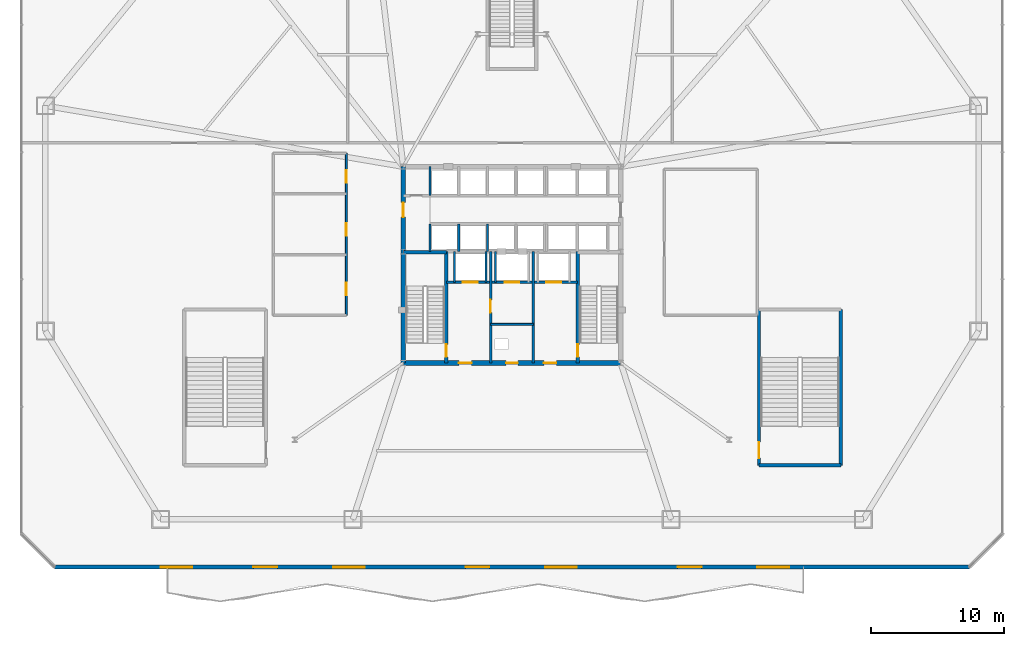
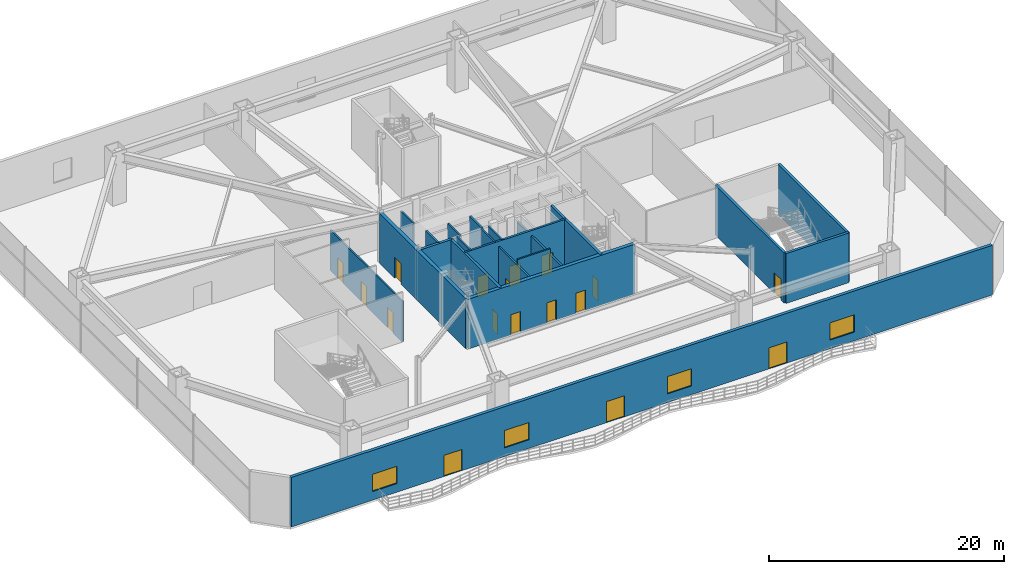
# One storey, part 13 of 20: 21 walls, 17 doors, 4 windows, 21 openings.
"""IFC4 building model written with IfcOpenShell, lengths in metres."""

from ifc_helpers import new_model, si_unit, direction, frame, frame_2d, origin, place, context, subcontext, project, spatial, rectangle, extrude, material, layer, layer_set, type_object, element, fill, save


model = new_model("IFC4")

# Units and contexts
model_context = context("Model", 3, precision=1e-05, world=origin(), true_north=direction((0.0, 1.0)))
body_context = subcontext(model_context, "Body", "Model", "MODEL_VIEW")
ifc_project = project(units=[si_unit("LENGTHUNIT", "METRE"), si_unit("AREAUNIT", "SQUARE_METRE"), si_unit("VOLUMEUNIT", "CUBIC_METRE"), si_unit("PLANEANGLEUNIT", "RADIAN"), si_unit("MASSUNIT", "GRAM", prefix="KILO")], contexts=[model_context])

# Site, building, storey
site_placement = place(None, origin())
site = spatial("IfcSite", under=ifc_project, at=site_placement, CompositionType="ELEMENT")
building_placement = place(site_placement, origin())
building = spatial("IfcBuilding", under=site, at=building_placement, Name="Varakhsha Concourse Tower", CompositionType="ELEMENT")
storey_placement = place(building_placement, frame((0.0, 0.0, 11.0)))
storey = spatial("IfcBuildingStorey", under=building, at=storey_placement, Name="L03", CompositionType="ELEMENT", Elevation=11.0)

# Wall, openings, doors
ifc_material_1 = material(Name="Concrete fc 65 MPa", Category="concrete")
ifc_layer_1 = layer(ifc_material_1, 0.35009765625, Name="WL-CORE-350")
ifc_layer_set_1 = layer_set([ifc_layer_1], Name="Concrete fc 65 MPa")
wall_type_1 = type_object("IfcWallType", Name="WL-CORE-350", PredefinedType="SHEAR", material=ifc_layer_set_1)
wall_1_placement = place(storey_placement, frame((31.800048828125, 16.39990234375, 0.0), z_axis=(0.0, 0.0, 1.0), x_axis=(1.0, 0.0, 0.0)))
wall_1 = element("IfcWall", 1, at=wall_1_placement, inside=storey, type_object=wall_type_1, Name="L03 Wall CWALL-S-L03", PredefinedType="SHEAR", context=body_context, shape_type="SweptSolid", body=[
    extrude(rectangle(XDim=16.39990234375, YDim=0.35009765625, at=frame_2d((8.199951171875, 0.0))), origin(), (0.0, 0.0, 1.0), 5.179931640625),
])
opening_1_placement = place(wall_1_placement, frame((7.75, 0.0, 0.0)))
opening_1 = element("IfcOpeningElement", 2, at=opening_1_placement, cuts=wall_1, Name="Opening DF-06", PredefinedType="OPENING", context=body_context, shape_type="SweptSolid", body=[
    extrude(rectangle(XDim=0.89990234375, YDim=2.10009765625, at=frame_2d((0.449951171875, 1.050048828125))), frame((0.0, 0.18505859375, 0.0), z_axis=(0.0, -1.0, 0.0), x_axis=(1.0, 0.0, 0.0)), (0.0, 0.0, 1.0), 0.3701171875),
])
opening_2_placement = place(wall_1_placement, frame((4.199951171875, 0.0, 0.0)))
opening_2 = element("IfcOpeningElement", 3, at=opening_2_placement, cuts=wall_1, Name="Opening DF-05", PredefinedType="OPENING", context=body_context, shape_type="SweptSolid", body=[
    extrude(rectangle(XDim=0.949951171875, YDim=2.10009765625, at=frame_2d((0.47509765625, 1.050048828125))), frame((0.0, 0.18505859375, 0.0), z_axis=(0.0, -1.0, 0.0), x_axis=(1.0, 0.0, 0.0)), (0.0, 0.0, 1.0), 0.3701171875),
])
opening_3_placement = place(wall_1_placement, frame((10.60009765625, 0.0, 0.0)))
opening_3 = element("IfcOpeningElement", 4, at=opening_3_placement, cuts=wall_1, Name="Opening DF-05", PredefinedType="OPENING", context=body_context, shape_type="SweptSolid", body=[
    extrude(rectangle(XDim=0.949951171875, YDim=2.10009765625, at=frame_2d((0.47509765625, 1.050048828125))), frame((0.0, 0.18505859375, 0.0), z_axis=(0.0, -1.0, 0.0), x_axis=(1.0, 0.0, 0.0)), (0.0, 0.0, 1.0), 0.3701171875),
])
ifc_material_2 = material(Name="Hollow Galvanised Steel Fire Door Assembly", Category="steel")
door_type_1 = type_object("IfcDoorType", Name="DR-FD60-900", OperationType="NOTDEFINED", PredefinedType="DOOR", material=ifc_material_2)
door_1_placement = place(opening_1_placement, origin())
door_1 = element("IfcDoor", 5, at=door_1_placement, inside=storey, type_object=door_type_1, Name="L03 Electrical Riser Access Door", OperationType="SINGLE_SWING_LEFT", OverallHeight=2.10009765625, OverallWidth=0.89990234375, PredefinedType="DOOR", context=body_context, shape_type="SweptSolid", body=[
    extrude(rectangle(XDim=0.89990234375, YDim=2.10009765625, at=frame_2d((0.449951171875, 1.050048828125))), frame((0.0, 0.02490234375, 0.0), z_axis=(0.0, -1.0, 0.0), x_axis=(1.0, 0.0, 0.0)), (0.0, 0.0, 1.0), 0.050048828125),
])
fill(opening_1, door_1)
door_type_2 = type_object("IfcDoorType", Name="DR-FD60-950", OperationType="NOTDEFINED", PredefinedType="DOOR", material=ifc_material_2)
door_2_placement = place(opening_2_placement, origin())
door_2 = element("IfcDoor", 6, at=door_2_placement, inside=storey, type_object=door_type_2, Name="L03 Firefighting Lobby West Door", OperationType="SINGLE_SWING_RIGHT", OverallHeight=2.10009765625, OverallWidth=0.949951171875, PredefinedType="DOOR", context=body_context, shape_type="SweptSolid", body=[
    extrude(rectangle(XDim=0.949951171875, YDim=2.10009765625, at=frame_2d((0.47509765625, 1.050048828125))), frame((0.0, 0.02490234375, 0.0), z_axis=(0.0, -1.0, 0.0), x_axis=(1.0, 0.0, 0.0)), (0.0, 0.0, 1.0), 0.050048828125),
])
fill(opening_2, door_2)
door_3_placement = place(opening_3_placement, origin())
door_3 = element("IfcDoor", 7, at=door_3_placement, inside=storey, type_object=door_type_2, Name="L03 Firefighting Lobby East Door", OperationType="SINGLE_SWING_LEFT", OverallHeight=2.10009765625, OverallWidth=0.949951171875, PredefinedType="DOOR", context=body_context, shape_type="SweptSolid", body=[
    extrude(rectangle(XDim=0.949951171875, YDim=2.10009765625, at=frame_2d((0.47509765625, 1.050048828125))), frame((0.0, 0.02490234375, 0.0), z_axis=(0.0, -1.0, 0.0), x_axis=(1.0, 0.0, 0.0)), (0.0, 0.0, 1.0), 0.050048828125),
])
fill(opening_3, door_3)

# Wall, opening, door
wall_2_placement = place(storey_placement, frame((31.800048828125, 16.39990234375, 0.0), z_axis=(0.0, 0.0, 1.0), x_axis=(0.0, 1.0, 0.0)))
wall_2 = element("IfcWall", 8, at=wall_2_placement, inside=storey, type_object=wall_type_1, Name="L03 Wall CWALL-W-L03", PredefinedType="SHEAR", context=body_context, shape_type="SweptSolid", body=[
    extrude(rectangle(XDim=14.800048828125, YDim=0.35009765625, at=frame_2d((7.39990234375, 0.0))), origin(), (0.0, 0.0, 1.0), 5.179931640625),
])
opening_4_placement = place(wall_2_placement, frame((11.0, 0.0, 0.0)))
opening_4 = element("IfcOpeningElement", 9, at=opening_4_placement, cuts=wall_2, Name="Opening DL-01", PredefinedType="OPENING", context=body_context, shape_type="SweptSolid", body=[
    extrude(rectangle(XDim=1.10009765625, YDim=2.14990234375, at=frame_2d((0.550048828125, 1.074951171875))), frame((0.0, 0.18505859375, 0.0), z_axis=(0.0, -1.0, 0.0), x_axis=(1.0, 0.0, 0.0)), (0.0, 0.0, 1.0), 0.3701171875),
])
ifc_material_3 = material(Name="Anodised Bronze Architectural Aluminium AA 6063-T6", Category="aluminium")
door_type_3 = type_object("IfcDoorType", Name="DR-LOB-1100", OperationType="NOTDEFINED", PredefinedType="DOOR", material=ifc_material_3)
door_4_placement = place(opening_4_placement, origin())
door_4 = element("IfcDoor", 10, at=door_4_placement, inside=storey, type_object=door_type_3, Name="L03 Lift Lobby West Concourse Door", OperationType="SINGLE_SWING_LEFT", OverallHeight=2.14990234375, OverallWidth=1.10009765625, PredefinedType="DOOR", context=body_context, shape_type="SweptSolid", body=[
    extrude(rectangle(XDim=1.10009765625, YDim=2.14990234375, at=frame_2d((0.550048828125, 1.074951171875))), frame((0.0, 0.02490234375, 0.0), z_axis=(0.0, -1.0, 0.0), x_axis=(1.0, 0.0, 0.0)), (0.0, 0.0, 1.0), 0.050048828125),
])
fill(opening_4, door_4)

# Wall, openings, doors, windows
ifc_material_4 = material(Name="Concrete fc 45 MPa", Category="concrete")
ifc_layer_2 = layer(ifc_material_4, 0.300048828125, Name="WL-EXT-POD-300")
ifc_layer_set_2 = layer_set([ifc_layer_2], Name="Concrete fc 45 MPa")
wall_type_2 = type_object("IfcWallType", Name="WL-EXT-POD-300", PredefinedType="STANDARD", material=ifc_layer_set_2)
wall_3_placement = place(storey_placement, frame((5.5, 1.0, 0.0), z_axis=(0.0, 0.0, 1.0), x_axis=(1.0, 0.0, 0.0)))
wall_3 = element("IfcWall", 11, at=wall_3_placement, inside=storey, type_object=wall_type_2, Name="L03 South Wave Terrace Wall", PredefinedType="STANDARD", context=body_context, shape_type="SweptSolid", body=[
    extrude(rectangle(XDim=69.0, YDim=0.300048828125, at=frame_2d((34.5, 0.0))), origin(), (0.0, 0.0, 1.0), 5.179931640625),
])
opening_5_placement = place(wall_3_placement, frame((15.0, 0.0, 0.0)))
opening_5 = element("IfcOpeningElement", 12, at=opening_5_placement, cuts=wall_3, Name="Opening DT-01", PredefinedType="OPENING", context=body_context, shape_type="SweptSolid", body=[
    extrude(rectangle(XDim=1.800048828125, YDim=2.199951171875, at=frame_2d((0.89990234375, 1.10009765625))), frame((0.0, 0.159912109375, 0.0), z_axis=(0.0, -1.0, 0.0), x_axis=(1.0, 0.0, 0.0)), (0.0, 0.0, 1.0), 0.320068359375),
])
opening_6_placement = place(wall_3_placement, frame((31.0, 0.0, 0.0)))
opening_6 = element("IfcOpeningElement", 13, at=opening_6_placement, cuts=wall_3, Name="Opening DT-01", PredefinedType="OPENING", context=body_context, shape_type="SweptSolid", body=[
    extrude(rectangle(XDim=1.800048828125, YDim=2.199951171875, at=frame_2d((0.89990234375, 1.10009765625))), frame((0.0, 0.159912109375, 0.0), z_axis=(0.0, -1.0, 0.0), x_axis=(1.0, 0.0, 0.0)), (0.0, 0.0, 1.0), 0.320068359375),
])
opening_7_placement = place(wall_3_placement, frame((47.0, 0.0, 0.0)))
opening_7 = element("IfcOpeningElement", 14, at=opening_7_placement, cuts=wall_3, Name="Opening DT-01", PredefinedType="OPENING", context=body_context, shape_type="SweptSolid", body=[
    extrude(rectangle(XDim=1.800048828125, YDim=2.199951171875, at=frame_2d((0.89990234375, 1.10009765625))), frame((0.0, 0.159912109375, 0.0), z_axis=(0.0, -1.0, 0.0), x_axis=(1.0, 0.0, 0.0)), (0.0, 0.0, 1.0), 0.320068359375),
])
opening_8_placement = place(wall_3_placement, frame((8.0, 0.0, 0.89990234375)))
opening_8 = element("IfcOpeningElement", 15, at=opening_8_placement, cuts=wall_3, Name="Opening W-02", PredefinedType="OPENING", context=body_context, shape_type="SweptSolid", body=[
    extrude(rectangle(XDim=2.39990234375, YDim=1.800048828125, at=frame_2d((1.199951171875, 0.89990234375))), frame((0.0, 0.159912109375, 0.0), z_axis=(0.0, -1.0, 0.0), x_axis=(1.0, 0.0, 0.0)), (0.0, 0.0, 1.0), 0.320068359375),
])
opening_9_placement = place(wall_3_placement, frame((21.0, 0.0, 0.89990234375)))
opening_9 = element("IfcOpeningElement", 16, at=opening_9_placement, cuts=wall_3, Name="Opening W-02", PredefinedType="OPENING", context=body_context, shape_type="SweptSolid", body=[
    extrude(rectangle(XDim=2.39990234375, YDim=1.800048828125, at=frame_2d((1.199951171875, 0.89990234375))), frame((0.0, 0.159912109375, 0.0), z_axis=(0.0, -1.0, 0.0), x_axis=(1.0, 0.0, 0.0)), (0.0, 0.0, 1.0), 0.320068359375),
])
opening_10_placement = place(wall_3_placement, frame((37.0, 0.0, 0.89990234375)))
opening_10 = element("IfcOpeningElement", 17, at=opening_10_placement, cuts=wall_3, Name="Opening W-02", PredefinedType="OPENING", context=body_context, shape_type="SweptSolid", body=[
    extrude(rectangle(XDim=2.39990234375, YDim=1.800048828125, at=frame_2d((1.199951171875, 0.89990234375))), frame((0.0, 0.159912109375, 0.0), z_axis=(0.0, -1.0, 0.0), x_axis=(1.0, 0.0, 0.0)), (0.0, 0.0, 1.0), 0.320068359375),
])
opening_11_placement = place(wall_3_placement, frame((53.0, 0.0, 0.89990234375)))
opening_11 = element("IfcOpeningElement", 18, at=opening_11_placement, cuts=wall_3, Name="Opening W-02", PredefinedType="OPENING", context=body_context, shape_type="SweptSolid", body=[
    extrude(rectangle(XDim=2.39990234375, YDim=1.800048828125, at=frame_2d((1.199951171875, 0.89990234375))), frame((0.0, 0.159912109375, 0.0), z_axis=(0.0, -1.0, 0.0), x_axis=(1.0, 0.0, 0.0)), (0.0, 0.0, 1.0), 0.320068359375),
])
door_type_4 = type_object("IfcDoorType", Name="DR-TERR-1800", OperationType="DOUBLE_DOOR_SINGLE_SWING", PredefinedType="DOOR", material=ifc_material_3)
door_5_placement = place(opening_5_placement, origin())
door_5 = element("IfcDoor", 19, at=door_5_placement, inside=storey, type_object=door_type_4, Name="L03 Wave Terrace Double Door 1", OperationType="SINGLE_SWING_LEFT", OverallHeight=2.199951171875, OverallWidth=1.800048828125, PredefinedType="DOOR", context=body_context, shape_type="SweptSolid", body=[
    extrude(rectangle(XDim=1.800048828125, YDim=2.199951171875, at=frame_2d((0.89990234375, 1.10009765625))), frame((0.0, 0.02490234375, 0.0), z_axis=(0.0, -1.0, 0.0), x_axis=(1.0, 0.0, 0.0)), (0.0, 0.0, 1.0), 0.050048828125),
])
fill(opening_5, door_5)
door_6_placement = place(opening_6_placement, origin())
door_6 = element("IfcDoor", 20, at=door_6_placement, inside=storey, type_object=door_type_4, Name="L03 Wave Terrace Double Door 2", OperationType="SINGLE_SWING_LEFT", OverallHeight=2.199951171875, OverallWidth=1.800048828125, PredefinedType="DOOR", context=body_context, shape_type="SweptSolid", body=[
    extrude(rectangle(XDim=1.800048828125, YDim=2.199951171875, at=frame_2d((0.89990234375, 1.10009765625))), frame((0.0, 0.02490234375, 0.0), z_axis=(0.0, -1.0, 0.0), x_axis=(1.0, 0.0, 0.0)), (0.0, 0.0, 1.0), 0.050048828125),
])
fill(opening_6, door_6)
door_7_placement = place(opening_7_placement, origin())
door_7 = element("IfcDoor", 21, at=door_7_placement, inside=storey, type_object=door_type_4, Name="L03 Wave Terrace Double Door 3", OperationType="SINGLE_SWING_LEFT", OverallHeight=2.199951171875, OverallWidth=1.800048828125, PredefinedType="DOOR", context=body_context, shape_type="SweptSolid", body=[
    extrude(rectangle(XDim=1.800048828125, YDim=2.199951171875, at=frame_2d((0.89990234375, 1.10009765625))), frame((0.0, 0.02490234375, 0.0), z_axis=(0.0, -1.0, 0.0), x_axis=(1.0, 0.0, 0.0)), (0.0, 0.0, 1.0), 0.050048828125),
])
fill(opening_7, door_7)
ifc_material_5 = material(Name="Low-E Triple Insulating Glass IGU 44 mm", Category="glass")
window_type = type_object("IfcWindowType", Name="WN-RIBBON-2400", PartitioningType="SINGLE_PANEL", PredefinedType="WINDOW", material=ifc_material_5)
window_1_placement = place(opening_8_placement, origin())
window_1 = element("IfcWindow", 22, at=window_1_placement, inside=storey, type_object=window_type, Name="L03 South Foyer Ribbon Window 1", OverallHeight=1.800048828125, OverallWidth=2.39990234375, PartitioningType="SINGLE_PANEL", PredefinedType="WINDOW", context=body_context, shape_type="SweptSolid", body=[
    extrude(rectangle(XDim=2.39990234375, YDim=1.800048828125, at=frame_2d((1.199951171875, 0.89990234375))), frame((0.0, 0.030029296875, 0.0), z_axis=(0.0, -1.0, 0.0), x_axis=(1.0, 0.0, 0.0)), (0.0, 0.0, 1.0), 0.06005859375),
])
fill(opening_8, window_1)
window_2_placement = place(opening_9_placement, origin())
window_2 = element("IfcWindow", 23, at=window_2_placement, inside=storey, type_object=window_type, Name="L03 South Foyer Ribbon Window 2", OverallHeight=1.800048828125, OverallWidth=2.39990234375, PartitioningType="SINGLE_PANEL", PredefinedType="WINDOW", context=body_context, shape_type="SweptSolid", body=[
    extrude(rectangle(XDim=2.39990234375, YDim=1.800048828125, at=frame_2d((1.199951171875, 0.89990234375))), frame((0.0, 0.030029296875, 0.0), z_axis=(0.0, -1.0, 0.0), x_axis=(1.0, 0.0, 0.0)), (0.0, 0.0, 1.0), 0.06005859375),
])
fill(opening_9, window_2)
window_3_placement = place(opening_10_placement, origin())
window_3 = element("IfcWindow", 24, at=window_3_placement, inside=storey, type_object=window_type, Name="L03 South Foyer Ribbon Window 3", OverallHeight=1.800048828125, OverallWidth=2.39990234375, PartitioningType="SINGLE_PANEL", PredefinedType="WINDOW", context=body_context, shape_type="SweptSolid", body=[
    extrude(rectangle(XDim=2.39990234375, YDim=1.800048828125, at=frame_2d((1.199951171875, 0.89990234375))), frame((0.0, 0.030029296875, 0.0), z_axis=(0.0, -1.0, 0.0), x_axis=(1.0, 0.0, 0.0)), (0.0, 0.0, 1.0), 0.06005859375),
])
fill(opening_10, window_3)
window_4_placement = place(opening_11_placement, origin())
window_4 = element("IfcWindow", 25, at=window_4_placement, inside=storey, type_object=window_type, Name="L03 South Foyer Ribbon Window 4", OverallHeight=1.800048828125, OverallWidth=2.39990234375, PartitioningType="SINGLE_PANEL", PredefinedType="WINDOW", context=body_context, shape_type="SweptSolid", body=[
    extrude(rectangle(XDim=2.39990234375, YDim=1.800048828125, at=frame_2d((1.199951171875, 0.89990234375))), frame((0.0, 0.030029296875, 0.0), z_axis=(0.0, -1.0, 0.0), x_axis=(1.0, 0.0, 0.0)), (0.0, 0.0, 1.0), 0.06005859375),
])
fill(opening_11, window_4)

# Wall, opening, door
ifc_material_6 = material(Name="Fire-Rated Type X Gypsum Partition Assembly", Category="gypsum")
ifc_layer_3 = layer(ifc_material_6, 0.179931640625, Name="WL-FFLOB-180")
ifc_layer_set_3 = layer_set([ifc_layer_3], Name="Fire-Rated Type X Gypsum Partition Assembly")
wall_type_3 = type_object("IfcWallType", Name="WL-FFLOB-180", PredefinedType="PARTITIONING", material=ifc_layer_set_3)
wall_4_placement = place(storey_placement, frame((38.389892578125, 16.39990234375, 0.0), z_axis=(0.0, 0.0, 1.0), x_axis=(0.0, 1.0, 0.0)))
wall_4 = element("IfcWall", 26, at=wall_4_placement, inside=storey, type_object=wall_type_3, Name="L03 Wall FFW-1E-L03", PredefinedType="PARTITIONING", context=body_context, shape_type="SweptSolid", body=[
    extrude(rectangle(XDim=8.400146484375, YDim=0.179931640625, at=frame_2d((4.2001953125, 0.0))), origin(), (0.0, 0.0, 1.0), 4.631103515625),
])
opening_12_placement = place(wall_4_placement, frame((3.800048828125, 0.0, 0.0)))
opening_12 = element("IfcOpeningElement", 27, at=opening_12_placement, cuts=wall_4, Name="Opening DF-05", PredefinedType="OPENING", context=body_context, shape_type="SweptSolid", body=[
    extrude(rectangle(XDim=0.949951171875, YDim=2.10009765625, at=frame_2d((0.47509765625, 1.050048828125))), frame((0.0, 0.099853515625, 0.0), z_axis=(0.0, -1.0, 0.0), x_axis=(1.0, 0.0, 0.0)), (0.0, 0.0, 1.0), 0.199951171875),
])
door_8_placement = place(opening_12_placement, origin())
door_8 = element("IfcDoor", 28, at=door_8_placement, inside=storey, type_object=door_type_2, Name="L03 Service Vestibule Door", OperationType="SINGLE_SWING_RIGHT", OverallHeight=2.10009765625, OverallWidth=0.949951171875, PredefinedType="DOOR", context=body_context, shape_type="SweptSolid", body=[
    extrude(rectangle(XDim=0.949951171875, YDim=2.10009765625, at=frame_2d((0.47509765625, 1.050048828125))), frame((0.0, 0.02490234375, 0.0), z_axis=(0.0, -1.0, 0.0), x_axis=(1.0, 0.0, 0.0)), (0.0, 0.0, 1.0), 0.050048828125),
])
fill(opening_12, door_8)

# Walls
wall_5_placement = place(storey_placement, frame((41.610107421875, 16.39990234375, 0.0), z_axis=(0.0, 0.0, 1.0), x_axis=(0.0, 1.0, 0.0)))
element("IfcWall", 29, at=wall_5_placement, inside=storey, type_object=wall_type_3, Name="L03 Wall FFW-2W-L03", PredefinedType="PARTITIONING", context=body_context, shape_type="SweptSolid", body=[
    extrude(rectangle(XDim=8.400146484375, YDim=0.179931640625, at=frame_2d((4.2001953125, 0.0))), origin(), (0.0, 0.0, 1.0), 4.631103515625),
])
ifc_layer_4 = layer(ifc_material_6, 0.14990234375, Name="WL-PART-150")
ifc_layer_set_4 = layer_set([ifc_layer_4], Name="Fire-Rated Type X Gypsum Partition Assembly")
wall_type_4 = type_object("IfcWallType", Name="WL-PART-150", PredefinedType="PARTITIONING", material=ifc_layer_set_4)
wall_6_placement = place(storey_placement, frame((38.389892578125, 19.300048828125, 0.0), z_axis=(0.0, 0.0, 1.0), x_axis=(1.0, 0.0, 0.0)))
element("IfcWall", 30, at=wall_6_placement, inside=storey, type_object=wall_type_4, Name="L03 Wall RSW-H-L03", PredefinedType="PARTITIONING", context=body_context, shape_type="SweptSolid", body=[
    extrude(rectangle(XDim=3.22021484375, YDim=0.14990234375, at=frame_2d((1.610107421875, 0.0))), origin(), (0.0, 0.0, 1.0), 5.179931640625),
])

# Wall, openings, doors
wall_7_placement = place(storey_placement, frame((27.5, 20.0, 0.0), z_axis=(0.0, 0.0, 1.0), x_axis=(0.0, 1.0, 0.0)))
wall_7 = element("IfcWall", 31, at=wall_7_placement, inside=storey, type_object=wall_type_4, Name="L03 Wall L03W-WCE", PredefinedType="PARTITIONING", context=body_context, shape_type="SweptSolid", body=[
    extrude(rectangle(XDim=12.199951171875, YDim=0.14990234375, at=frame_2d((6.10009765625, 0.0))), origin(), (0.0, 0.0, 1.0), 4.242919921875),
])
opening_13_placement = place(wall_7_placement, frame((1.5, 0.0, 0.0)))
opening_13 = element("IfcOpeningElement", 32, at=opening_13_placement, cuts=wall_7, Name="Opening DF-05", PredefinedType="OPENING", context=body_context, shape_type="SweptSolid", body=[
    extrude(rectangle(XDim=0.949951171875, YDim=2.10009765625, at=frame_2d((0.47509765625, 1.050048828125))), frame((0.0, 0.0849609375, 0.0), z_axis=(0.0, -1.0, 0.0), x_axis=(1.0, 0.0, 0.0)), (0.0, 0.0, 1.0), 0.169921875),
])
opening_14_placement = place(wall_7_placement, frame((6.0, 0.0, 0.0)))
opening_14 = element("IfcOpeningElement", 33, at=opening_14_placement, cuts=wall_7, Name="Opening DF-05", PredefinedType="OPENING", context=body_context, shape_type="SweptSolid", body=[
    extrude(rectangle(XDim=0.949951171875, YDim=2.10009765625, at=frame_2d((0.47509765625, 1.050048828125))), frame((0.0, 0.0849609375, 0.0), z_axis=(0.0, -1.0, 0.0), x_axis=(1.0, 0.0, 0.0)), (0.0, 0.0, 1.0), 0.169921875),
])
opening_15_placement = place(wall_7_placement, frame((10.0, 0.0, 0.0)))
opening_15 = element("IfcOpeningElement", 34, at=opening_15_placement, cuts=wall_7, Name="Opening DF-05", PredefinedType="OPENING", context=body_context, shape_type="SweptSolid", body=[
    extrude(rectangle(XDim=0.949951171875, YDim=2.10009765625, at=frame_2d((0.47509765625, 1.050048828125))), frame((0.0, 0.0849609375, 0.0), z_axis=(0.0, -1.0, 0.0), x_axis=(1.0, 0.0, 0.0)), (0.0, 0.0, 1.0), 0.169921875),
])
door_9_placement = place(opening_13_placement, origin())
door_9 = element("IfcDoor", 35, at=door_9_placement, inside=storey, type_object=door_type_2, Name="L03 Men Restroom WC Door", OperationType="SINGLE_SWING_LEFT", OverallHeight=2.10009765625, OverallWidth=0.949951171875, PredefinedType="DOOR", context=body_context, shape_type="SweptSolid", body=[
    extrude(rectangle(XDim=0.949951171875, YDim=2.10009765625, at=frame_2d((0.47509765625, 1.050048828125))), frame((0.0, 0.02490234375, 0.0), z_axis=(0.0, -1.0, 0.0), x_axis=(1.0, 0.0, 0.0)), (0.0, 0.0, 1.0), 0.050048828125),
])
fill(opening_13, door_9)
door_10_placement = place(opening_14_placement, origin())
door_10 = element("IfcDoor", 36, at=door_10_placement, inside=storey, type_object=door_type_2, Name="L03 Women Restroom WC Door", OperationType="SINGLE_SWING_LEFT", OverallHeight=2.10009765625, OverallWidth=0.949951171875, PredefinedType="DOOR", context=body_context, shape_type="SweptSolid", body=[
    extrude(rectangle(XDim=0.949951171875, YDim=2.10009765625, at=frame_2d((0.47509765625, 1.050048828125))), frame((0.0, 0.02490234375, 0.0), z_axis=(0.0, -1.0, 0.0), x_axis=(1.0, 0.0, 0.0)), (0.0, 0.0, 1.0), 0.050048828125),
])
fill(opening_14, door_10)
door_11_placement = place(opening_15_placement, origin())
door_11 = element("IfcDoor", 37, at=door_11_placement, inside=storey, type_object=door_type_2, Name="L03 Accessible WC Door", OperationType="SINGLE_SWING_LEFT", OverallHeight=2.10009765625, OverallWidth=0.949951171875, PredefinedType="DOOR", context=body_context, shape_type="SweptSolid", body=[
    extrude(rectangle(XDim=0.949951171875, YDim=2.10009765625, at=frame_2d((0.47509765625, 1.050048828125))), frame((0.0, 0.02490234375, 0.0), z_axis=(0.0, -1.0, 0.0), x_axis=(1.0, 0.0, 0.0)), (0.0, 0.0, 1.0), 0.050048828125),
])
fill(opening_15, door_11)

ifc_layer_5 = layer(ifc_material_6, 0.199951171875, Name="WL-SHAFT-220")
ifc_layer_set_5 = layer_set([ifc_layer_5], Name="Fire-Rated Type X Gypsum Partition Assembly")
wall_type_5 = type_object("IfcWallType", Name="WL-SHAFT-220", PredefinedType="SOLIDWALL", material=ifc_layer_set_5)
wall_8_placement = place(storey_placement, frame((35.044921875, 22.47998046875, 0.0), z_axis=(0.0, 0.0, 1.0), x_axis=(1.0, 0.0, 0.0)))
wall_8 = element("IfcWall", 38, at=wall_8_placement, inside=storey, type_object=wall_type_5, Name="L03 Wall FFW-NH-L03", PredefinedType="SOLIDWALL", context=body_context, shape_type="SweptSolid", body=[
    extrude(rectangle(XDim=9.91015625, YDim=0.199951171875, at=frame_2d((4.955078125, 0.0))), origin(), (0.0, 0.0, 1.0), 5.179931640625),
])
opening_16_placement = place(wall_8_placement, frame((1.2548828125, 0.0, 0.0)))
opening_16 = element("IfcOpeningElement", 39, at=opening_16_placement, cuts=wall_8, Name="Opening LD-FFL-1", PredefinedType="OPENING", context=body_context, shape_type="SweptSolid", body=[
    extrude(rectangle(XDim=1.10009765625, YDim=2.14990234375, at=frame_2d((0.550048828125, 1.074951171875))), frame((0.0, 0.10986328125, 0.0), z_axis=(0.0, -1.0, 0.0), x_axis=(1.0, 0.0, 0.0)), (0.0, 0.0, 1.0), 0.219970703125),
])
opening_17_placement = place(wall_8_placement, frame((7.554931640625, 0.0, 0.0)))
opening_17 = element("IfcOpeningElement", 40, at=opening_17_placement, cuts=wall_8, Name="Opening LD-FFL-2", PredefinedType="OPENING", context=body_context, shape_type="SweptSolid", body=[
    extrude(rectangle(XDim=1.10009765625, YDim=2.14990234375, at=frame_2d((0.550048828125, 1.074951171875))), frame((0.0, 0.10986328125, 0.0), z_axis=(0.0, -1.0, 0.0), x_axis=(1.0, 0.0, 0.0)), (0.0, 0.0, 1.0), 0.219970703125),
])
opening_18_placement = place(wall_8_placement, frame((4.405029296875, 0.0, 0.0)))
opening_18 = element("IfcOpeningElement", 41, at=opening_18_placement, cuts=wall_8, Name="Opening LD-SVL-1", PredefinedType="OPENING", context=body_context, shape_type="SweptSolid", body=[
    extrude(rectangle(XDim=1.10009765625, YDim=2.14990234375, at=frame_2d((0.550048828125, 1.074951171875))), frame((0.0, 0.10986328125, 0.0), z_axis=(0.0, -1.0, 0.0), x_axis=(1.0, 0.0, 0.0)), (0.0, 0.0, 1.0), 0.219970703125),
])
ifc_material_7 = material(Name="Brushed Austenitic Stainless Steel AISI 316", Category="steel")
door_type_5 = type_object("IfcDoorType", Name="DR-LD-1100", OperationType="DOUBLE_DOOR_SLIDING", PredefinedType="DOOR", material=ifc_material_7)
door_12_placement = place(opening_16_placement, origin())
door_12 = element("IfcDoor", 42, at=door_12_placement, inside=storey, type_object=door_type_5, Name="Lift Landing Door FFL-1 L03", OperationType="DOUBLE_DOOR_SLIDING", OverallHeight=2.14990234375, OverallWidth=1.10009765625, PredefinedType="DOOR", context=body_context, shape_type="SweptSolid", body=[
    extrude(rectangle(XDim=1.10009765625, YDim=2.14990234375, at=frame_2d((0.550048828125, 1.074951171875))), frame((0.0, 0.02490234375, 0.0), z_axis=(0.0, -1.0, 0.0), x_axis=(1.0, 0.0, 0.0)), (0.0, 0.0, 1.0), 0.050048828125),
])
fill(opening_16, door_12)
door_13_placement = place(opening_17_placement, origin())
door_13 = element("IfcDoor", 43, at=door_13_placement, inside=storey, type_object=door_type_5, Name="Lift Landing Door FFL-2 L03", OperationType="DOUBLE_DOOR_SLIDING", OverallHeight=2.14990234375, OverallWidth=1.10009765625, PredefinedType="DOOR", context=body_context, shape_type="SweptSolid", body=[
    extrude(rectangle(XDim=1.10009765625, YDim=2.14990234375, at=frame_2d((0.550048828125, 1.074951171875))), frame((0.0, 0.02490234375, 0.0), z_axis=(0.0, -1.0, 0.0), x_axis=(1.0, 0.0, 0.0)), (0.0, 0.0, 1.0), 0.050048828125),
])
fill(opening_17, door_13)
door_14_placement = place(opening_18_placement, origin())
door_14 = element("IfcDoor", 44, at=door_14_placement, inside=storey, type_object=door_type_5, Name="Lift Landing Door SVL-1 L03", OperationType="DOUBLE_DOOR_SLIDING", OverallHeight=2.14990234375, OverallWidth=1.10009765625, PredefinedType="DOOR", context=body_context, shape_type="SweptSolid", body=[
    extrude(rectangle(XDim=1.10009765625, YDim=2.14990234375, at=frame_2d((0.550048828125, 1.074951171875))), frame((0.0, 0.02490234375, 0.0), z_axis=(0.0, -1.0, 0.0), x_axis=(1.0, 0.0, 0.0)), (0.0, 0.0, 1.0), 0.050048828125),
])
fill(opening_18, door_14)

# Walls
for number, where, z_axis, x_axis, name in (
    (45, (35.64990234375, 22.47998046875, 0.0), (0.0, 0.0, 1.0), (0.0, 1.0, 0.0), "L03 Wall SHW-FFL-1-W-L03"),
    (46, (38.050048828125, 22.47998046875, 0.0), (0.0, 0.0, 1.0), (0.0, 1.0, 0.0), "L03 Wall SHW-FFL-1-E-L03"),
    (47, (38.75, 22.47998046875, 0.0), (0.0, 0.0, 1.0), (0.0, 1.0, 0.0), "L03 Wall SHW-SVL-1-W-L03"),
):
    element("IfcWall", number, at=place(storey_placement, frame(where, z_axis=z_axis, x_axis=x_axis)), inside=storey, type_object=wall_type_5, Name=name, PredefinedType="SOLIDWALL", context=body_context, shape_type="SweptSolid", body=[
        extrude(rectangle(XDim=2.320068359375, YDim=0.159912109375, at=frame_2d((1.16015625, 0.0))), origin(), (0.0, 0.0, 1.0), 5.179931640625),
    ])
wall_9_placement = place(storey_placement, frame((33.820068359375, 29.02001953125, 0.0), z_axis=(0.0, 0.0, 1.0), x_axis=(0.0, 1.0, 0.0)))
element("IfcWall", 48, at=wall_9_placement, inside=storey, type_object=wall_type_5, Name="L03 Wall WBOH-E1-L03", PredefinedType="SOLIDWALL", context=body_context, shape_type="SweptSolid", body=[
    extrude(rectangle(XDim=2.179931640625, YDim=0.159912109375, at=frame_2d((1.08984375, 0.0))), origin(), (0.0, 0.0, 1.0), 4.631103515625),
])
for number, where, z_axis, x_axis, name in (
    (49, (33.820068359375, 24.800048828125, 0.0), (0.0, 0.0, 1.0), (0.0, 1.0, 0.0), "L03 Wall WBOH-E2-L03"),
    (50, (35.97998046875, 24.800048828125, 0.0), (0.0, 0.0, 1.0), (0.0, 1.0, 0.0), "L03 Wall SHW-LF-P05-E-L03"),
    (51, (38.139892578125, 24.800048828125, 0.0), (0.0, 0.0, 1.0), (0.0, 1.0, 0.0), "L03 Wall SHW-LF-P06-E-L03"),
):
    element("IfcWall", number, at=place(storey_placement, frame(where, z_axis=z_axis, x_axis=x_axis)), inside=storey, type_object=wall_type_5, Name=name, PredefinedType="SOLIDWALL", context=body_context, shape_type="SweptSolid", body=[
        extrude(rectangle(XDim=2.079833984375, YDim=0.159912109375, at=frame_2d((1.0400390625, 0.0))), origin(), (0.0, 0.0, 1.0), 5.179931640625),
    ])

# Wall, opening, door
ifc_layer_6 = layer(ifc_material_4, 0.25, Name="WL-STAIR-250")
ifc_layer_set_6 = layer_set([ifc_layer_6], Name="Concrete fc 45 MPa")
wall_type_6 = type_object("IfcWallType", Name="WL-STAIR-250", PredefinedType="SHEAR", material=ifc_layer_set_6)
wall_10_placement = place(storey_placement, frame((35.044921875, 16.39990234375, 0.0), z_axis=(0.0, 0.0, 1.0), x_axis=(0.0, 1.0, 0.0)))
wall_10 = element("IfcWall", 52, at=wall_10_placement, inside=storey, type_object=wall_type_6, Name="L03 Wall SWALL-ST1-E-L03", PredefinedType="SHEAR", context=body_context, shape_type="SweptSolid", body=[
    extrude(rectangle(XDim=8.400146484375, YDim=0.25, at=frame_2d((4.2001953125, 0.0))), origin(), (0.0, 0.0, 1.0), 5.179931640625),
])
opening_19_placement = place(wall_10_placement, frame((0.449951171875, 0.0, 0.0)))
opening_19 = element("IfcOpeningElement", 53, at=opening_19_placement, cuts=wall_10, Name="Opening DF-03", PredefinedType="OPENING", context=body_context, shape_type="SweptSolid", body=[
    extrude(rectangle(XDim=0.949951171875, YDim=2.10009765625, at=frame_2d((0.47509765625, 1.050048828125))), frame((0.0, 0.135009765625, 0.0), z_axis=(0.0, -1.0, 0.0), x_axis=(1.0, 0.0, 0.0)), (0.0, 0.0, 1.0), 0.27001953125),
])
door_type_6 = type_object("IfcDoorType", Name="DR-FD90-950", OperationType="NOTDEFINED", PredefinedType="DOOR", material=ifc_material_2)
door_15_placement = place(opening_19_placement, origin())
door_15 = element("IfcDoor", 54, at=door_15_placement, inside=storey, type_object=door_type_6, Name="L03 Stair ST1 Fire Door", OperationType="SINGLE_SWING_LEFT", OverallHeight=2.10009765625, OverallWidth=0.949951171875, PredefinedType="DOOR", context=body_context, shape_type="SweptSolid", body=[
    extrude(rectangle(XDim=0.949951171875, YDim=2.10009765625, at=frame_2d((0.47509765625, 1.050048828125))), frame((0.0, 0.02490234375, 0.0), z_axis=(0.0, -1.0, 0.0), x_axis=(1.0, 0.0, 0.0)), (0.0, 0.0, 1.0), 0.050048828125),
])
fill(opening_19, door_15)

# Wall
wall_11_placement = place(storey_placement, frame((31.800048828125, 24.7548828125, 0.0), z_axis=(0.0, 0.0, 1.0), x_axis=(1.0, 0.0, 0.0)))
element("IfcWall", 55, at=wall_11_placement, inside=storey, type_object=wall_type_6, Name="L03 Wall SWALL-ST1-N-L03", PredefinedType="SHEAR", context=body_context, shape_type="SweptSolid", body=[
    extrude(rectangle(XDim=3.244873046875, YDim=0.25, at=frame_2d((1.62255859375, 0.0))), origin(), (0.0, 0.0, 1.0), 5.179931640625),
])

# Wall, opening, door
wall_12_placement = place(storey_placement, frame((44.955078125, 16.39990234375, 0.0), z_axis=(0.0, 0.0, 1.0), x_axis=(0.0, 1.0, 0.0)))
wall_12 = element("IfcWall", 56, at=wall_12_placement, inside=storey, type_object=wall_type_6, Name="L03 Wall SWALL-ST2-W-L03", PredefinedType="SHEAR", context=body_context, shape_type="SweptSolid", body=[
    extrude(rectangle(XDim=8.400146484375, YDim=0.25, at=frame_2d((4.2001953125, 0.0))), origin(), (0.0, 0.0, 1.0), 5.179931640625),
])
opening_20_placement = place(wall_12_placement, frame((0.449951171875, 0.0, 0.0)))
opening_20 = element("IfcOpeningElement", 57, at=opening_20_placement, cuts=wall_12, Name="Opening DF-03", PredefinedType="OPENING", context=body_context, shape_type="SweptSolid", body=[
    extrude(rectangle(XDim=0.949951171875, YDim=2.10009765625, at=frame_2d((0.47509765625, 1.050048828125))), frame((0.0, 0.135009765625, 0.0), z_axis=(0.0, -1.0, 0.0), x_axis=(1.0, 0.0, 0.0)), (0.0, 0.0, 1.0), 0.27001953125),
])
door_16_placement = place(opening_20_placement, origin())
door_16 = element("IfcDoor", 58, at=door_16_placement, inside=storey, type_object=door_type_6, Name="L03 Stair ST2 Fire Door", OperationType="SINGLE_SWING_RIGHT", OverallHeight=2.10009765625, OverallWidth=0.949951171875, PredefinedType="DOOR", context=body_context, shape_type="SweptSolid", body=[
    extrude(rectangle(XDim=0.949951171875, YDim=2.10009765625, at=frame_2d((0.47509765625, 1.050048828125))), frame((0.0, 0.02490234375, 0.0), z_axis=(0.0, -1.0, 0.0), x_axis=(1.0, 0.0, 0.0)), (0.0, 0.0, 1.0), 0.050048828125),
])
fill(opening_20, door_16)

# Wall
wall_13_placement = place(storey_placement, frame((58.635009765625, 8.675048828125, 0.0), z_axis=(0.0, 0.0, 1.0), x_axis=(1.0, 0.0, 0.0)))
element("IfcWall", 59, at=wall_13_placement, inside=storey, type_object=wall_type_6, Name="L03 Wall ST4W-S-L03", PredefinedType="SHEAR", context=body_context, shape_type="SweptSolid", body=[
    extrude(rectangle(XDim=6.169921875, YDim=0.25, at=frame_2d((3.0849609375, 0.0))), origin(), (0.0, 0.0, 1.0), 5.179931640625),
])

# Wall, opening, door
wall_14_placement = place(storey_placement, frame((58.635009765625, 8.675048828125, 0.0), z_axis=(0.0, 0.0, 1.0), x_axis=(0.0, 1.0, 0.0)))
wall_14 = element("IfcWall", 60, at=wall_14_placement, inside=storey, type_object=wall_type_6, Name="L03 Wall ST4W-W-L03", PredefinedType="SHEAR", context=body_context, shape_type="SweptSolid", body=[
    extrude(rectangle(XDim=11.75, YDim=0.25, at=frame_2d((5.875, 0.0))), origin(), (0.0, 0.0, 1.0), 5.179931640625),
])
opening_21_placement = place(wall_14_placement, frame((0.550048828125, 0.0, 0.0)))
opening_21 = element("IfcOpeningElement", 61, at=opening_21_placement, cuts=wall_14, Name="Opening DF-01", PredefinedType="OPENING", context=body_context, shape_type="SweptSolid", body=[
    extrude(rectangle(XDim=1.199951171875, YDim=2.14990234375, at=frame_2d((0.60009765625, 1.074951171875))), frame((0.0, 0.135009765625, 0.0), z_axis=(0.0, -1.0, 0.0), x_axis=(1.0, 0.0, 0.0)), (0.0, 0.0, 1.0), 0.27001953125),
])
door_type_7 = type_object("IfcDoorType", Name="DR-FD90-1200", OperationType="NOTDEFINED", PredefinedType="DOOR", material=ifc_material_2)
door_17_placement = place(opening_21_placement, origin())
door_17 = element("IfcDoor", 62, at=door_17_placement, inside=storey, type_object=door_type_7, Name="L03 Stair ST4 Door", OperationType="SINGLE_SWING_RIGHT", OverallHeight=2.14990234375, OverallWidth=1.199951171875, PredefinedType="DOOR", context=body_context, shape_type="SweptSolid", body=[
    extrude(rectangle(XDim=1.199951171875, YDim=2.14990234375, at=frame_2d((0.60009765625, 1.074951171875))), frame((0.0, 0.02490234375, 0.0), z_axis=(0.0, -1.0, 0.0), x_axis=(1.0, 0.0, 0.0)), (0.0, 0.0, 1.0), 0.050048828125),
])
fill(opening_21, door_17)

# Wall
wall_15_placement = place(storey_placement, frame((64.804931640625, 8.675048828125, 0.0), z_axis=(0.0, 0.0, 1.0), x_axis=(0.0, 1.0, 0.0)))
element("IfcWall", 63, at=wall_15_placement, inside=storey, type_object=wall_type_6, Name="L03 Wall ST4W-E-L03", PredefinedType="SHEAR", context=body_context, shape_type="SweptSolid", body=[
    extrude(rectangle(XDim=11.75, YDim=0.25, at=frame_2d((5.875, 0.0))), origin(), (0.0, 0.0, 1.0), 5.179931640625),
])

save(model, "model.ifc")
